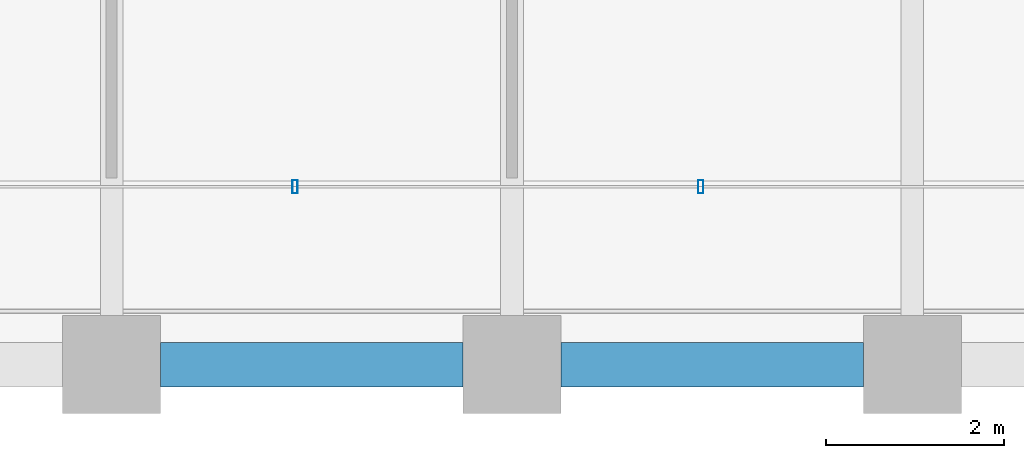
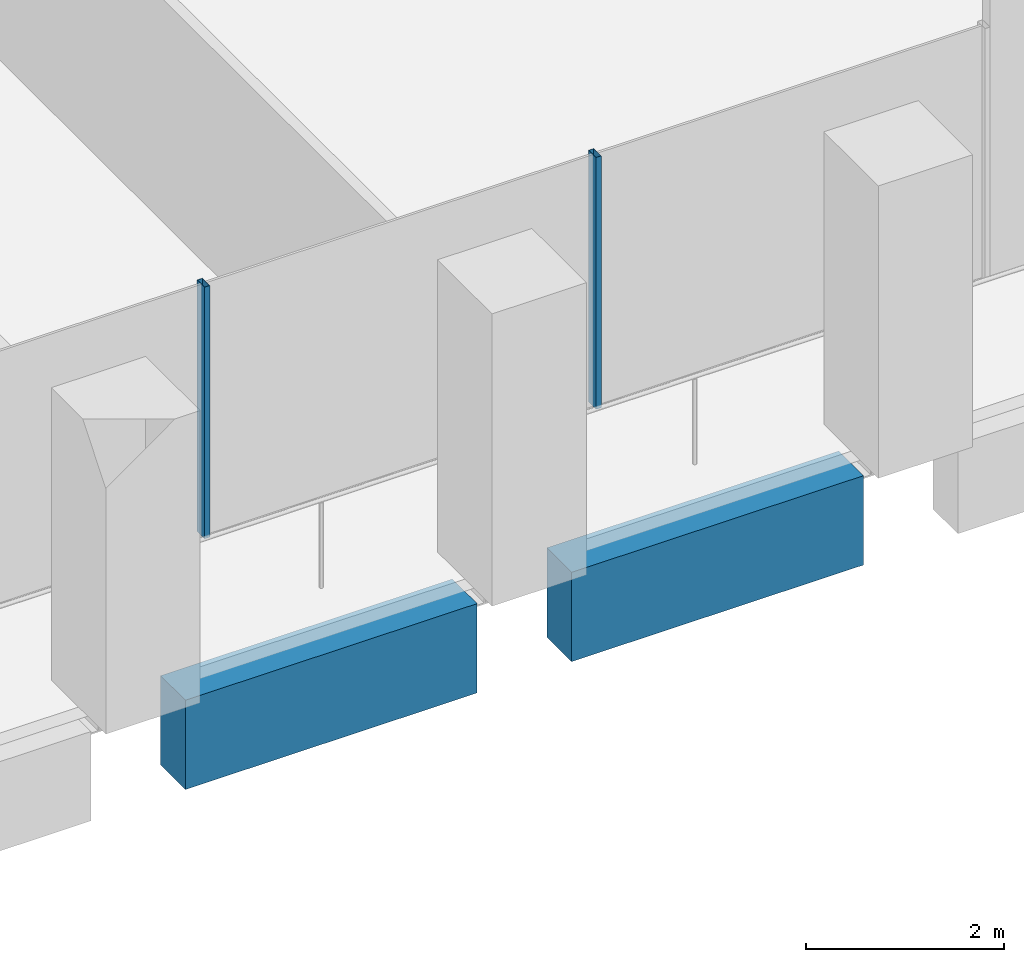
# One storey, part 3 of 54: 2 beams, 2 members, 1 element without a shape of its own.
"""IFC4 building model written with IfcOpenShell, lengths in metres."""

import ifcopenshell
import ifcopenshell.guid

model = None  # the IFC model being written
_history = None  # IfcOwnerHistory: only IFC2X3 demands one
_inside = {}  # id of a spatial element -> (the spatial element, [elements in it])
_under = {}  # id of a project, library or spatial element -> (it, [spatial elements below it])
_declared = {}  # id of a project -> (the project, [libraries it declares])
_typed = {}  # id of a type object -> (the type object, [elements of that type])
_made_of = {}  # id of a material, layer set ... -> (it, [elements and type objects made of it])


def new_model(schema):
    """Start an empty IFC model of exactly this schema.

    Asked for "IFC4X3", IfcOpenShell would pick the latest addendum, in which some entities
    have other attributes; the version numbers below select the first issue.
    IFC2X3 requires an IfcOwnerHistory on every rooted entity: one is made here for all.
    """
    global model, _history
    if schema == "IFC4X3":
        model = ifcopenshell.file(schema_version=(4, 3, 0, 0))
    else:
        model = ifcopenshell.file(schema=schema)
    _inside.clear()
    _under.clear()
    _declared.clear()
    _typed.clear()
    _made_of.clear()
    _history = None
    if model.schema == "IFC2X3":
        org = make("IfcOrganization", Name="unknown")
        user = make(
            "IfcPersonAndOrganization",
            ThePerson=make("IfcPerson", FamilyName="unknown"),
            TheOrganization=org,
        )
        app = make(
            "IfcApplication",
            ApplicationDeveloper=org,
            Version="unknown",
            ApplicationFullName="unknown",
            ApplicationIdentifier="unknown",
        )
        _history = make(
            "IfcOwnerHistory",
            OwningUser=user,
            OwningApplication=app,
            ChangeAction="ADDED",
            CreationDate=0,
        )
    return model


def make(cls, **values):
    """One entity of the class cls with the attributes given. An attribute that is None is left unset."""
    return model.create_entity(
        cls, **{name: value for name, value in values.items() if value is not None}
    )


def rooted(cls, **values):
    """An entity with a GlobalId (a new one), such as an element, a storey or a relation."""
    return make(cls, GlobalId=ifcopenshell.guid.new(), OwnerHistory=_history, **values)


def si_unit(unit_type, name, prefix=None):
    """IfcSIUnit, for example si_unit("LENGTHUNIT", "METRE", prefix="MILLI")."""
    return make("IfcSIUnit", UnitType=unit_type, Prefix=prefix, Name=name)


def assignment(units):
    """IfcUnitAssignment: the units of a project."""
    return None if units is None else make("IfcUnitAssignment", Units=units)


def point(xyz):
    """IfcCartesianPoint."""
    return None if xyz is None else make("IfcCartesianPoint", Coordinates=xyz)


def direction(xyz):
    """IfcDirection."""
    return None if xyz is None else make("IfcDirection", DirectionRatios=xyz)


def frame(location, z_axis=None, x_axis=None):
    """IfcAxis2Placement3D, a coordinate frame: its origin and axes. An axis left out is left unset."""
    return make(
        "IfcAxis2Placement3D",
        Location=point(location),
        Axis=direction(z_axis),
        RefDirection=direction(x_axis),
    )


def frame_2d(location, x_axis=None):
    """IfcAxis2Placement2D, a coordinate frame in the plane: its origin and x axis."""
    return make(
        "IfcAxis2Placement2D", Location=point(location), RefDirection=direction(x_axis)
    )


def origin():
    """The frame at (0, 0, 0) with its axes left unset."""
    return frame((0.0, 0.0, 0.0))


def origin_2d():
    """The frame at (0, 0) in the plane with its x axis left unset."""
    return frame_2d((0.0, 0.0))


def place(relative_to, where):
    """IfcLocalPlacement: puts the frame where relative to a parent placement (None: the world)."""
    return make(
        "IfcLocalPlacement", PlacementRelTo=relative_to, RelativePlacement=where
    )


def context(
    kind, dimensions, precision=None, world=None, true_north=None, identifier=None
):
    """IfcGeometricRepresentationContext, for example the 3D "Model" context."""
    return make(
        "IfcGeometricRepresentationContext",
        ContextIdentifier=identifier,
        ContextType=kind,
        CoordinateSpaceDimension=dimensions,
        Precision=precision,
        WorldCoordinateSystem=world,
        TrueNorth=true_north,
    )


def subcontext(parent, identifier, kind, view, scale=None):
    """IfcGeometricRepresentationSubContext, for example "Body" below "Model"."""
    return make(
        "IfcGeometricRepresentationSubContext",
        ContextIdentifier=identifier,
        ContextType=kind,
        ParentContext=parent,
        TargetScale=scale,
        TargetView=view,
    )


def project(units=None, contexts=None):
    """IfcProject with its units and contexts."""
    return rooted(
        "IfcProject",
        Name="project",
        RepresentationContexts=contexts,
        UnitsInContext=assignment(units),
    )


def spatial(cls, under=None, at=None, **own):
    """A site, building, storey or space (cls), placed at a placement, below another one or the project."""
    s = rooted(cls, ObjectPlacement=at, **own)
    if under is not None:
        _under.setdefault(under.id(), (under, []))[1].append(s)
    return s


def profile(cls, at=None, kind="AREA", **sizes):
    """A parametric profile (cls). Its sizes go by their IFC names, for example OverallWidth=200.0."""
    return make(cls, ProfileType=kind, Position=at, **sizes)


def rectangle(**sizes):
    """IfcRectangleProfileDef."""
    return profile("IfcRectangleProfileDef", **sizes)


def hollow_rectangle(**sizes):
    """IfcRectangleHollowProfileDef."""
    return profile("IfcRectangleHollowProfileDef", **sizes)


def extrude(swept, where, along, depth):
    """IfcExtrudedAreaSolid: the profile swept, set in the frame where, extruded along a direction by depth."""
    return make(
        "IfcExtrudedAreaSolid",
        SweptArea=swept,
        Position=where,
        ExtrudedDirection=direction(along),
        Depth=depth,
    )


def shape(context_of_items, identifier, shape_type, items):
    """IfcShapeRepresentation: the items that make up one representation, for example the "Body"."""
    return make(
        "IfcShapeRepresentation",
        ContextOfItems=context_of_items,
        RepresentationIdentifier=identifier,
        RepresentationType=shape_type,
        Items=items,
    )


def material(Name=None, Category=None):
    """IfcMaterial."""
    return make("IfcMaterial", Name=Name, Category=Category)


def material_profile(
    of_material, cross_section, Name=None, Category=None, Priority=None
):
    """IfcMaterialProfile: a cross section and its material."""
    return make(
        "IfcMaterialProfile",
        Name=Name,
        Material=of_material,
        Profile=cross_section,
        Priority=Priority,
        Category=Category,
    )


def profile_set(profiles, Name=None, composite=None):
    """IfcMaterialProfileSet."""
    return make(
        "IfcMaterialProfileSet",
        Name=Name,
        MaterialProfiles=profiles,
        CompositeProfile=composite,
    )


def made_of(thing, what):
    """Note that an element or type object is made of a material, layer set ...; save() writes the relation."""
    if what is not None:
        _made_of.setdefault(what.id(), (what, []))[1].append(thing)
    return thing


def type_object(cls, material=None, **own):
    """A type object (cls), such as IfcWallType, which elements share."""
    return made_of(rooted(cls, **own), material)


def element(
    cls,
    number,
    at=None,
    inside=None,
    cuts=None,
    type_object=None,
    material=None,
    context=None,
    identifier="Body",
    shape_type=None,
    held_by="IfcProductDefinitionShape",
    body=None,
    shapes=None,
    **own,
):
    """One element of the class cls, such as IfcWall. Its Tag is "e" and its number.

    at: its placement. inside: the storey or other place that contains it. cuts: it is an
    opening in that element (IfcRelVoidsElement). A single representation is given by context,
    identifier, shape_type and body (its items); several are given by shapes. held_by: the class
    of the entity that holds the representations. save() writes the other relations.
    """
    e = rooted(cls, Tag="e%d" % number, ObjectPlacement=at, **own)
    if body is not None:
        shapes = [shape(context, identifier, shape_type, body)]
    if shapes is not None:
        e.Representation = make(held_by, Representations=shapes)
    if inside is not None:
        _inside.setdefault(inside.id(), (inside, []))[1].append(e)
    if cuts is not None:
        rooted(
            "IfcRelVoidsElement", RelatingBuildingElement=cuts, RelatedOpeningElement=e
        )
    if type_object is not None:
        _typed.setdefault(type_object.id(), (type_object, []))[1].append(e)
    return made_of(e, material)


def aggregate(whole, parts):
    """IfcRelAggregates: a whole, such as a stair, and the parts it consists of."""
    return rooted("IfcRelAggregates", RelatingObject=whole, RelatedObjects=parts)


def save(model, path):
    """Write the relations noted so far, then the file.

    IfcRelAggregates (storeys below a building ...), IfcRelContainedInSpatialStructure (elements
    in a storey), IfcRelDefinesByType, IfcRelAssociatesMaterial and IfcRelDeclares: one each for
    every whole, place, type object, material and project.
    """
    for whole, parts in _under.values():
        aggregate(whole, parts)
    for where, things in _inside.values():
        rooted(
            "IfcRelContainedInSpatialStructure",
            RelatedElements=things,
            RelatingStructure=where,
        )
    for kind, things in _typed.values():
        rooted("IfcRelDefinesByType", RelatedObjects=things, RelatingType=kind)
    for what, things in _made_of.values():
        rooted("IfcRelAssociatesMaterial", RelatedObjects=things, RelatingMaterial=what)
    for by, libraries in _declared.values():
        rooted("IfcRelDeclares", RelatingContext=by, RelatedDefinitions=libraries)
    model.write(path)


model = new_model("IFC4")

# Units and contexts
model_context = context("Model", 3, precision=1e-05, world=origin(), true_north=direction((0.0, 1.0)))
body_context = subcontext(model_context, "Body", "Model", "MODEL_VIEW")
ifc_project = project(units=[si_unit("LENGTHUNIT", "METRE"), si_unit("AREAUNIT", "SQUARE_METRE"), si_unit("VOLUMEUNIT", "CUBIC_METRE"), si_unit("PLANEANGLEUNIT", "RADIAN"), si_unit("MASSUNIT", "GRAM", prefix="KILO")], contexts=[model_context])

# Site, building, storey
site_placement = place(None, origin())
site = spatial("IfcSite", under=ifc_project, at=site_placement, CompositionType="ELEMENT")
building_placement = place(site_placement, origin())
building = spatial("IfcBuilding", under=site, at=building_placement, Name="Altepetl Exchange Towers", CompositionType="ELEMENT")
storey_placement = place(building_placement, frame((0.0, 0.0, 58.199951171875)))
storey = spatial("IfcBuildingStorey", under=building, at=storey_placement, Name="L13", CompositionType="ELEMENT", Elevation=58.199951171875)

# Curtain wall, members
ifc_material_1 = material(Name="Aluminium 6063-T6 glazing", Category="aluminium")
curtain_wall_type = type_object("IfcCurtainWallType", Name="Loggia glazing system", PredefinedType="NOTDEFINED", material=ifc_material_1)
curtain_wall_placement = place(storey_placement, origin())
curtain_wall = element("IfcCurtainWall", 1, at=curtain_wall_placement, inside=storey, type_object=curtain_wall_type, Name="CW1 run", PredefinedType="NOTDEFINED")
ifc_material_2 = material(Name="Aluminium 6063-T6", Category="aluminium")
ifc_material_profile_1 = material_profile(ifc_material_2, hollow_rectangle(XDim=0.06005859375, YDim=0.14990234375, WallThickness=0.0029296875, at=origin_2d()), Name="Mullion 60x150 aluminium")
ifc_profile_set_1 = profile_set([ifc_material_profile_1], Name="Aluminium 6063-T6")
member_type = type_object("IfcMemberType", Name="Mullion 60x150 aluminium", PredefinedType="MULLION", material=ifc_profile_set_1)
member_1_placement = place(storey_placement, frame((38.060791015625, 29.0, 0.0)))
member_1 = element("IfcMember", 2, at=member_1_placement, type_object=member_type, Name="MU1 mullion", PredefinedType="MULLION", context=body_context, shape_type="SweptSolid", body=[
    extrude(hollow_rectangle(XDim=0.06005859375, YDim=0.14990234375, WallThickness=0.0029296875, at=origin_2d()), origin(), (0.0, 0.0, 1.0), 3.10009765625),
])
member_2_placement = place(storey_placement, frame((42.621337890625, 29.0, 0.0)))
member_2 = element("IfcMember", 3, at=member_2_placement, type_object=member_type, Name="MU1 mullion", PredefinedType="MULLION", context=body_context, shape_type="SweptSolid", body=[
    extrude(hollow_rectangle(XDim=0.06005859375, YDim=0.14990234375, WallThickness=0.0029296875, at=origin_2d()), origin(), (0.0, 0.0, 1.0), 3.10009765625),
])
aggregate(curtain_wall, [member_1, member_2])

# Beams
ifc_material_3 = material(Name="Concrete C50/60 precast with cantera blanca facing", Category="concrete")
ifc_material_profile_2 = material_profile(ifc_material_3, rectangle(XDim=0.5, YDim=1.10009765625, at=origin_2d()), Name="500 x 1100")
ifc_profile_set_2 = profile_set([ifc_material_profile_2], Name="Concrete C50/60 precast with cantera blanca facing")
beam_type = type_object("IfcBeamType", Name="Spandrel beam 500x1100 cantera blanca", PredefinedType="SPANDREL", material=ifc_profile_set_2)
for number, where, z_axis, x_axis, name in (
    (4, (36.550048828125, 27.0, -0.699951171875), (1.0, 0.0, 0.0), (0.0, 1.0, 0.0), "sp:A:L13:001"),
    (5, (41.050048828125, 27.0, -0.699951171875), (1.0, 0.0, 0.0), (0.0, 1.0, 0.0), "sp:A:L13:002"),
):
    element("IfcBeam", number, at=place(storey_placement, frame(where, z_axis=z_axis, x_axis=x_axis)), inside=storey, type_object=beam_type, Name=name, PredefinedType="SPANDREL", context=body_context, shape_type="SweptSolid", body=[
        extrude(rectangle(XDim=0.5, YDim=1.10009765625, at=origin_2d()), origin(), (0.0, 0.0, 1.0), 3.39990234375),
    ])

save(model, "model.ifc")
